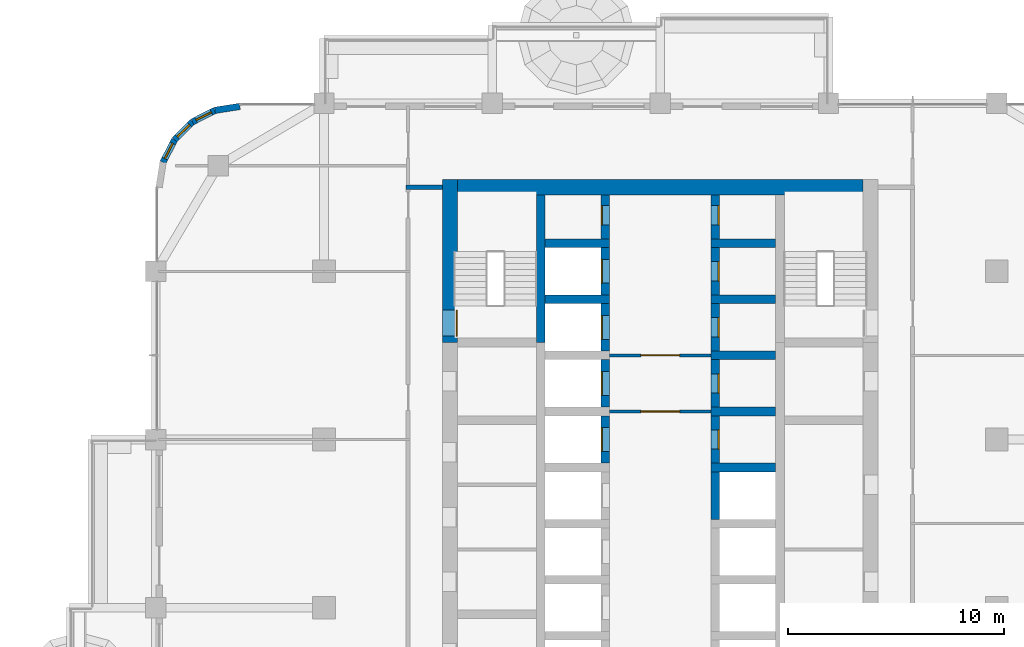
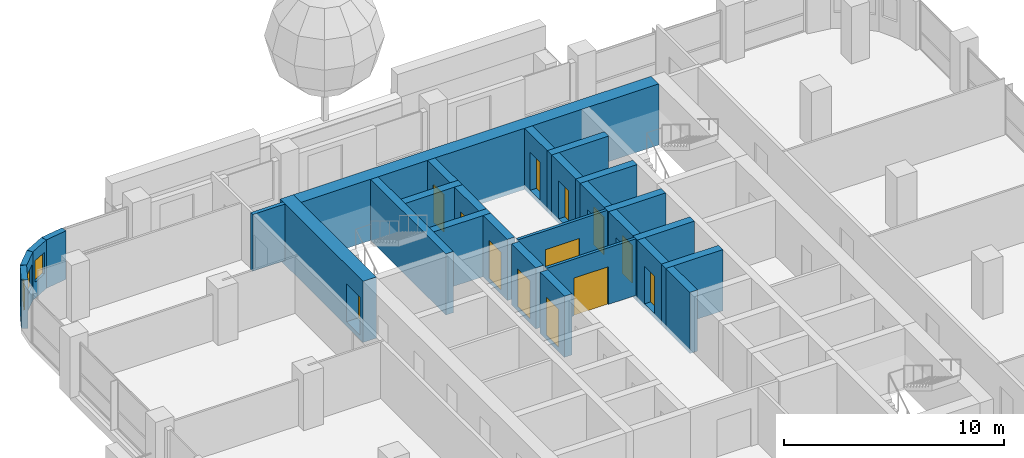
# One storey, part 13 of 21: 28 walls, 13 doors, 3 windows, 16 openings.
"""IFC4 building model written with IfcOpenShell, lengths in metres."""

from ifc_helpers import new_model, si_unit, direction, frame, frame_2d, origin, place, context, subcontext, project, spatial, rectangle, extrude, material, layer, layer_set, type_object, element, fill, save


model = new_model("IFC4")

# Units and contexts
model_context = context("Model", 3, precision=1e-05, world=origin(), true_north=direction((0.0, 1.0)))
body_context = subcontext(model_context, "Body", "Model", "MODEL_VIEW")
ifc_project = project(units=[si_unit("LENGTHUNIT", "METRE"), si_unit("AREAUNIT", "SQUARE_METRE"), si_unit("VOLUMEUNIT", "CUBIC_METRE"), si_unit("PLANEANGLEUNIT", "RADIAN"), si_unit("MASSUNIT", "GRAM", prefix="KILO")], contexts=[model_context])

# Site, building, storey
site_placement = place(None, origin())
site = spatial("IfcSite", under=ifc_project, at=site_placement, CompositionType="ELEMENT")
building_placement = place(site_placement, origin())
building = spatial("IfcBuilding", under=site, at=building_placement, Name="Ludao Terraces", CompositionType="ELEMENT")
storey_placement = place(building_placement, frame((0.0, 0.0, 71.60009765625)))
storey = spatial("IfcBuildingStorey", under=building, at=storey_placement, Name="L19", CompositionType="ELEMENT", Elevation=71.60009765625)

# Wall, opening, door
ifc_material_1 = material(Name="Concrete C70", Category="concrete")
ifc_layer_1 = layer(ifc_material_1, 0.699951171875)
ifc_layer_set_1 = layer_set([ifc_layer_1], Name="Core wall 700 C70")
wall_type_1 = type_object("IfcWallType", Name="Core wall 700 C70", PredefinedType="SOLIDWALL", material=ifc_layer_set_1)
wall_1_placement = place(storey_placement, frame((75.25, 77.300048828125, -0.25), z_axis=(0.0, 0.0, 1.0), x_axis=(0.0, 1.0, 0.0)))
wall_1 = element("IfcWall", 1, at=wall_1_placement, inside=storey, type_object=wall_type_1, Name="Core wall L19 outer-W-S1", PredefinedType="SOLIDWALL", context=body_context, shape_type="SweptSolid", body=[
    extrude(rectangle(XDim=7.550048828125, YDim=0.699951171875, at=frame_2d((3.77490234375, 0.0))), origin(), (0.0, 0.0, 1.0), 3.39990234375),
])
opening_1_placement = place(wall_1_placement, frame((0.300048828125, 0.0, 0.25)))
opening_1 = element("IfcOpeningElement", 2, at=opening_1_placement, cuts=wall_1, Name="Opening C1-035", PredefinedType="OPENING", context=body_context, shape_type="SweptSolid", body=[
    extrude(rectangle(XDim=1.199951171875, YDim=2.10009765625, at=frame_2d((0.60009765625, 1.050048828125))), frame((0.0, 0.35986328125, 0.0), z_axis=(0.0, -1.0, 0.0), x_axis=(1.0, 0.0, 0.0)), (0.0, 0.0, 1.0), 0.719970703125),
])
ifc_material_2 = material(Name="Steel Q235", Category="steel")
door_type_1 = type_object("IfcDoorType", Name="INT Stair door 1200", OperationType="DOUBLE_DOOR_SINGLE_SWING", PredefinedType="DOOR", material=ifc_material_2)
door_1_placement = place(opening_1_placement, origin())
door_1 = element("IfcDoor", 3, at=door_1_placement, inside=storey, type_object=door_type_1, Name="DOOR 035", OperationType="DOUBLE_DOOR_SINGLE_SWING", OverallHeight=2.10009765625, OverallWidth=1.199951171875, PredefinedType="DOOR", context=body_context, shape_type="SweptSolid", body=[
    extrude(rectangle(XDim=1.199951171875, YDim=2.10009765625, at=frame_2d((0.60009765625, 1.050048828125))), frame((0.0, -0.28515625, 0.0), z_axis=(0.0, -1.0, 0.0), x_axis=(1.0, 0.0, 0.0)), (0.0, 0.0, 1.0), 0.050048828125),
])
fill(opening_1, door_1)

# Walls
wall_2_placement = place(storey_placement, frame((75.60009765625, 84.5, -0.25), z_axis=(0.0, 0.0, 1.0), x_axis=(1.0, 0.0, 0.0)))
element("IfcWall", 4, at=wall_2_placement, inside=storey, type_object=wall_type_1, Name="Core wall L19 outer-N", PredefinedType="SOLIDWALL", context=body_context, shape_type="SweptSolid", body=[
    extrude(rectangle(XDim=18.7998046875, YDim=0.699951171875, at=frame_2d((9.39990234375, 0.0))), origin(), (0.0, 0.0, 1.0), 3.39990234375),
])
ifc_material_3 = material(Name="Granite cladding", Category="masonry")
ifc_layer_2 = layer(ifc_material_3, 0.0400390625, Category="stone")
ifc_material_4 = material(Name="Mineral wool")
ifc_layer_3 = layer(ifc_material_4, 0.06005859375)
ifc_material_5 = material(Name="Concrete C40", Category="concrete")
ifc_layer_4 = layer(ifc_material_5, 0.199951171875, Category="concrete")
ifc_layer_set_2 = layer_set([ifc_layer_2, ifc_layer_3, ifc_layer_4], Name="ENV Stone-clad wall 300")
wall_type_2 = type_object("IfcWallType", Name="ENV Stone-clad wall 300", PredefinedType="SOLIDWALL", material=ifc_layer_set_2)
wall_3_placement = place(storey_placement, frame((65.5, 88.25, 0.0), z_axis=(0.0, 0.0, 1.0), x_axis=(-0.987678452879, -0.156496880861, 0.0)))
element("IfcWall", 5, at=wall_3_placement, inside=storey, type_object=wall_type_2, Name="EW-L19-NW1", PredefinedType="SOLIDWALL", context=body_context, shape_type="SweptSolid", body=[
    extrude(rectangle(XDim=1.173095703125, YDim=0.300048828125, at=frame_2d((0.58642578125, 0.0))), origin(), (0.0, 0.0, 1.0), 2.699951171875),
])

# Wall, opening, window
wall_4_placement = place(storey_placement, frame((64.34130859375, 88.06640625, 0.0), z_axis=(0.0, 0.0, 1.0), x_axis=(-0.890988677504, -0.454025524128, 0.0)))
wall_4 = element("IfcWall", 6, at=wall_4_placement, inside=storey, type_object=wall_type_2, Name="EW-L19-NW2", PredefinedType="SOLIDWALL", context=body_context, shape_type="SweptSolid", body=[
    extrude(rectangle(XDim=1.17333984375, YDim=0.300048828125, at=frame_2d((0.586669921875, 0.0))), origin(), (0.0, 0.0, 1.0), 2.699951171875),
])
opening_2_placement = place(wall_4_placement, frame((0.1865234375, 0.0, 0.89990234375)))
opening_2 = element("IfcOpeningElement", 7, at=opening_2_placement, cuts=wall_4, Name="Opening W3", PredefinedType="OPENING", context=body_context, shape_type="SweptSolid", body=[
    extrude(rectangle(XDim=0.800048828125, YDim=1.199951171875, at=frame_2d((0.39990234375, 0.60009765625))), frame((0.0, 0.16015625, 0.0), z_axis=(0.0, -1.0, 0.0), x_axis=(1.0, 0.0, 0.0)), (0.0, 0.0, 1.0), 0.320068359375),
])
ifc_material_6 = material(Name="Clear glass in aluminium frame", Category="aluminium")
ifc_layer_5 = layer(ifc_material_6, 0.06005859375)
ifc_layer_set_3 = layer_set([ifc_layer_5], Name="ENV Window W3 800x1200")
window_type = type_object("IfcWindowType", Name="ENV Window W3 800x1200", PartitioningType="SINGLE_PANEL", PredefinedType="WINDOW", material=ifc_layer_set_3)
window_1_placement = place(opening_2_placement, origin())
window_1 = element("IfcWindow", 8, at=window_1_placement, inside=storey, type_object=window_type, Name="W-L19-NW2", OverallHeight=1.199951171875, OverallWidth=0.800048828125, PartitioningType="SINGLE_PANEL", PredefinedType="WINDOW", context=body_context, shape_type="SweptSolid", body=[
    extrude(rectangle(XDim=0.800048828125, YDim=1.199951171875, at=frame_2d((0.39990234375, 0.60009765625))), frame((0.0, 0.030029296875, 0.0), z_axis=(0.0, -1.0, 0.0), x_axis=(1.0, 0.0, 0.0)), (0.0, 0.0, 1.0), 0.06005859375),
])
fill(opening_2, window_1)

wall_5_placement = place(storey_placement, frame((63.2958984375, 87.53369140625, 0.0), z_axis=(0.0, 0.0, 1.0), x_axis=(-0.707106781187, -0.707106781187, 0.0)))
wall_5 = element("IfcWall", 9, at=wall_5_placement, inside=storey, type_object=wall_type_2, Name="EW-L19-NW3", PredefinedType="SOLIDWALL", context=body_context, shape_type="SweptSolid", body=[
    extrude(rectangle(XDim=1.173095703125, YDim=0.300048828125, at=frame_2d((0.58642578125, 0.0))), origin(), (0.0, 0.0, 1.0), 2.699951171875),
])
opening_3_placement = place(wall_5_placement, frame((0.1865234375, 0.0, 0.89990234375)))
opening_3 = element("IfcOpeningElement", 10, at=opening_3_placement, cuts=wall_5, Name="Opening W3", PredefinedType="OPENING", context=body_context, shape_type="SweptSolid", body=[
    extrude(rectangle(XDim=0.800048828125, YDim=1.199951171875, at=frame_2d((0.39990234375, 0.60009765625))), frame((0.0, 0.16015625, 0.0), z_axis=(0.0, -1.0, 0.0), x_axis=(1.0, 0.0, 0.0)), (0.0, 0.0, 1.0), 0.320068359375),
])
window_2_placement = place(opening_3_placement, origin())
window_2 = element("IfcWindow", 11, at=window_2_placement, inside=storey, type_object=window_type, Name="W-L19-NW3", OverallHeight=1.199951171875, OverallWidth=0.800048828125, PartitioningType="SINGLE_PANEL", PredefinedType="WINDOW", context=body_context, shape_type="SweptSolid", body=[
    extrude(rectangle(XDim=0.800048828125, YDim=1.199951171875, at=frame_2d((0.39990234375, 0.60009765625))), frame((0.0, 0.030029296875, 0.0), z_axis=(0.0, -1.0, 0.0), x_axis=(1.0, 0.0, 0.0)), (0.0, 0.0, 1.0), 0.06005859375),
])
fill(opening_3, window_2)

wall_6_placement = place(storey_placement, frame((62.46630859375, 86.7041015625, 0.0), z_axis=(0.0, 0.0, 1.0), x_axis=(-0.454025524128, -0.890988677504, 0.0)))
wall_6 = element("IfcWall", 12, at=wall_6_placement, inside=storey, type_object=wall_type_2, Name="EW-L19-NW4", PredefinedType="SOLIDWALL", context=body_context, shape_type="SweptSolid", body=[
    extrude(rectangle(XDim=1.17333984375, YDim=0.300048828125, at=frame_2d((0.586669921875, 0.0))), origin(), (0.0, 0.0, 1.0), 2.699951171875),
])
opening_4_placement = place(wall_6_placement, frame((0.1865234375, 0.0, 0.89990234375)))
opening_4 = element("IfcOpeningElement", 13, at=opening_4_placement, cuts=wall_6, Name="Opening W3", PredefinedType="OPENING", context=body_context, shape_type="SweptSolid", body=[
    extrude(rectangle(XDim=0.800048828125, YDim=1.199951171875, at=frame_2d((0.39990234375, 0.60009765625))), frame((0.0, 0.16015625, 0.0), z_axis=(0.0, -1.0, 0.0), x_axis=(1.0, 0.0, 0.0)), (0.0, 0.0, 1.0), 0.320068359375),
])
window_3_placement = place(opening_4_placement, origin())
window_3 = element("IfcWindow", 14, at=window_3_placement, inside=storey, type_object=window_type, Name="W-L19-NW4", OverallHeight=1.199951171875, OverallWidth=0.800048828125, PartitioningType="SINGLE_PANEL", PredefinedType="WINDOW", context=body_context, shape_type="SweptSolid", body=[
    extrude(rectangle(XDim=0.800048828125, YDim=1.199951171875, at=frame_2d((0.39990234375, 0.60009765625))), frame((0.0, 0.030029296875, 0.0), z_axis=(0.0, -1.0, 0.0), x_axis=(1.0, 0.0, 0.0)), (0.0, 0.0, 1.0), 0.06005859375),
])
fill(opening_4, window_3)

# Wall, opening, door
ifc_material_7 = material(Name="Fire-rated gypsum plasterboard", Category="gypsum")
ifc_layer_6 = layer(ifc_material_7, 0.012451171875, Category="gypsum")
ifc_layer_7 = layer(ifc_material_4, 0.10009765625, Name="insulation")
ifc_layer_8 = layer(ifc_material_2, 0.02490234375, Name="stud")
ifc_layer_9 = layer(ifc_material_7, 0.012451171875, Category="gypsum")
ifc_layer_set_4 = layer_set([ifc_layer_6, ifc_layer_7, ifc_layer_8, ifc_layer_9], Name="INT Core partition 150")
wall_type_3 = type_object("IfcWallType", Name="INT Core partition 150", PredefinedType="PARTITIONING", material=ifc_layer_set_4)
wall_7_placement = place(storey_placement, frame((82.650146484375, 74.10009765625, 0.0), z_axis=(0.0, 0.0, 1.0), x_axis=(1.0, 0.0, 0.0)))
wall_7 = element("IfcWall", 15, at=wall_7_placement, inside=storey, type_object=wall_type_3, Name="PW-L19-PW009", PredefinedType="PARTITIONING", context=body_context, shape_type="SweptSolid", body=[
    extrude(rectangle(XDim=4.699951171875, YDim=0.14990234375, at=frame_2d((2.35009765625, 0.0))), origin(), (0.0, 0.0, 1.0), 3.14990234375),
])
opening_5_placement = place(wall_7_placement, frame((1.449951171875, 0.0, 0.0)))
opening_5 = element("IfcOpeningElement", 16, at=opening_5_placement, cuts=wall_7, Name="Opening C1-026", PredefinedType="OPENING", context=body_context, shape_type="SweptSolid", body=[
    extrude(rectangle(XDim=1.800048828125, YDim=2.10009765625, at=frame_2d((0.89990234375, 1.050048828125))), frame((0.0, 0.0849609375, 0.0), z_axis=(0.0, -1.0, 0.0), x_axis=(1.0, 0.0, 0.0)), (0.0, 0.0, 1.0), 0.169921875),
])
door_type_2 = type_object("IfcDoorType", Name="INT Fire lobby door 1800", OperationType="DOUBLE_DOOR_SINGLE_SWING", PredefinedType="DOOR", material=ifc_material_2)
door_2_placement = place(opening_5_placement, origin())
door_2 = element("IfcDoor", 17, at=door_2_placement, inside=storey, type_object=door_type_2, Name="DOOR 026", OperationType="DOUBLE_DOOR_SINGLE_SWING", OverallHeight=2.10009765625, OverallWidth=1.800048828125, PredefinedType="DOOR", context=body_context, shape_type="SweptSolid", body=[
    extrude(rectangle(XDim=1.800048828125, YDim=2.10009765625, at=frame_2d((0.89990234375, 1.050048828125))), frame((0.0, 0.02490234375, 0.0), z_axis=(0.0, -1.0, 0.0), x_axis=(1.0, 0.0, 0.0)), (0.0, 0.0, 1.0), 0.050048828125),
])
fill(opening_5, door_2)

wall_8_placement = place(storey_placement, frame((82.650146484375, 76.699951171875, 0.0), z_axis=(0.0, 0.0, 1.0), x_axis=(1.0, 0.0, 0.0)))
wall_8 = element("IfcWall", 18, at=wall_8_placement, inside=storey, type_object=wall_type_3, Name="PW-L19-PW010", PredefinedType="PARTITIONING", context=body_context, shape_type="SweptSolid", body=[
    extrude(rectangle(XDim=4.699951171875, YDim=0.14990234375, at=frame_2d((2.35009765625, 0.0))), origin(), (0.0, 0.0, 1.0), 3.14990234375),
])
opening_6_placement = place(wall_8_placement, frame((1.449951171875, 0.0, 0.0)))
opening_6 = element("IfcOpeningElement", 19, at=opening_6_placement, cuts=wall_8, Name="Opening C1-032", PredefinedType="OPENING", context=body_context, shape_type="SweptSolid", body=[
    extrude(rectangle(XDim=1.800048828125, YDim=2.10009765625, at=frame_2d((0.89990234375, 1.050048828125))), frame((0.0, 0.0849609375, 0.0), z_axis=(0.0, -1.0, 0.0), x_axis=(1.0, 0.0, 0.0)), (0.0, 0.0, 1.0), 0.169921875),
])
door_3_placement = place(opening_6_placement, origin())
door_3 = element("IfcDoor", 20, at=door_3_placement, inside=storey, type_object=door_type_2, Name="DOOR 032", OperationType="DOUBLE_DOOR_SINGLE_SWING", OverallHeight=2.10009765625, OverallWidth=1.800048828125, PredefinedType="DOOR", context=body_context, shape_type="SweptSolid", body=[
    extrude(rectangle(XDim=1.800048828125, YDim=2.10009765625, at=frame_2d((0.89990234375, 1.050048828125))), frame((0.0, 0.02490234375, 0.0), z_axis=(0.0, -1.0, 0.0), x_axis=(1.0, 0.0, 0.0)), (0.0, 0.0, 1.0), 0.050048828125),
])
fill(opening_6, door_3)

# Walls
ifc_material_8 = material(Name="Autoclaved aerated concrete block B06 A3.5", Category="concrete")
ifc_layer_10 = layer(ifc_material_8, 0.199951171875)
ifc_layer_set_5 = layer_set([ifc_layer_10], Name="INT Entrance wall 200")
wall_type_4 = type_object("IfcWallType", Name="INT Entrance wall 200", PredefinedType="PARTITIONING", material=ifc_layer_set_5)
wall_9_placement = place(storey_placement, frame((73.2001953125, 84.5, 0.0), z_axis=(0.0, 0.0, 1.0), x_axis=(1.0, 0.0, 0.0)))
element("IfcWall", 21, at=wall_9_placement, inside=storey, type_object=wall_type_4, Name="PW-L19-PW013", PredefinedType="PARTITIONING", context=body_context, shape_type="SweptSolid", body=[
    extrude(rectangle(XDim=1.699951171875, YDim=0.199951171875, at=frame_2d((0.85009765625, 0.0))), origin(), (0.0, 0.0, 1.0), 3.14990234375),
])
ifc_material_9 = material(Name="Concrete C60", Category="concrete")
ifc_layer_11 = layer(ifc_material_9, 0.39990234375)
ifc_layer_set_6 = layer_set([ifc_layer_11], Name="Shaft wall 400 C60")
wall_type_5 = type_object("IfcWallType", Name="Shaft wall 400 C60", PredefinedType="SOLIDWALL", material=ifc_layer_set_6)
wall_10_placement = place(storey_placement, frame((79.449951171875, 77.300048828125, -0.25), z_axis=(0.0, 0.0, 1.0), x_axis=(0.0, 1.0, 0.0)))
element("IfcWall", 22, at=wall_10_placement, inside=storey, type_object=wall_type_5, Name="Core wall L19 back-W-S1", PredefinedType="SOLIDWALL", context=body_context, shape_type="SweptSolid", body=[
    extrude(rectangle(XDim=6.849853515625, YDim=0.39990234375, at=frame_2d((3.4248046875, 0.0))), origin(), (0.0, 0.0, 1.0), 3.39990234375),
])

# Wall, opening, door
wall_11_placement = place(storey_placement, frame((82.449951171875, 71.699951171875, -0.25), z_axis=(0.0, 0.0, 1.0), x_axis=(0.0, 1.0, 0.0)))
wall_11 = element("IfcWall", 23, at=wall_11_placement, inside=storey, type_object=wall_type_5, Name="Core wall L19 front-W5", PredefinedType="SOLIDWALL", context=body_context, shape_type="SweptSolid", body=[
    extrude(rectangle(XDim=2.199951171875, YDim=0.39990234375, at=frame_2d((1.10009765625, 0.0))), origin(), (0.0, 0.0, 1.0), 3.39990234375),
])
opening_7_placement = place(wall_11_placement, frame((0.550048828125, 0.0, 0.25)))
opening_7 = element("IfcOpeningElement", 24, at=opening_7_placement, cuts=wall_11, Name="Opening LD-LA5", PredefinedType="OPENING", context=body_context, shape_type="SweptSolid", body=[
    extrude(rectangle(XDim=1.10009765625, YDim=2.10009765625, at=frame_2d((0.550048828125, 1.050048828125))), frame((0.0, 0.2099609375, 0.0), z_axis=(0.0, -1.0, 0.0), x_axis=(1.0, 0.0, 0.0)), (0.0, 0.0, 1.0), 0.419921875),
])
ifc_material_10 = material(Name="Stainless steel 304", Category="steel")
door_type_3 = type_object("IfcDoorType", Name="INT Lift landing door 1100", OperationType="SLIDING_TO_LEFT", PredefinedType="DOOR", material=ifc_material_10)
door_4_placement = place(opening_7_placement, origin())
door_4 = element("IfcDoor", 25, at=door_4_placement, inside=storey, type_object=door_type_3, Name="LANDING DOOR LA5 L19", OperationType="SLIDING_TO_LEFT", OverallHeight=2.10009765625, OverallWidth=1.10009765625, PredefinedType="DOOR", context=body_context, shape_type="SweptSolid", body=[
    extrude(rectangle(XDim=1.10009765625, YDim=2.10009765625, at=frame_2d((0.550048828125, 1.050048828125))), frame((0.0, 0.18505859375, 0.0), z_axis=(0.0, -1.0, 0.0), x_axis=(1.0, 0.0, 0.0)), (0.0, 0.0, 1.0), 0.050048828125),
])
fill(opening_7, door_4)

wall_12_placement = place(storey_placement, frame((82.449951171875, 74.300048828125, -0.25), z_axis=(0.0, 0.0, 1.0), x_axis=(0.0, 1.0, 0.0)))
wall_12 = element("IfcWall", 26, at=wall_12_placement, inside=storey, type_object=wall_type_5, Name="Core wall L19 front-W6", PredefinedType="SOLIDWALL", context=body_context, shape_type="SweptSolid", body=[
    extrude(rectangle(XDim=2.199951171875, YDim=0.39990234375, at=frame_2d((1.10009765625, 0.0))), origin(), (0.0, 0.0, 1.0), 3.39990234375),
])
opening_8_placement = place(wall_12_placement, frame((0.550048828125, 0.0, 0.25)))
opening_8 = element("IfcOpeningElement", 27, at=opening_8_placement, cuts=wall_12, Name="Opening LD-LA6", PredefinedType="OPENING", context=body_context, shape_type="SweptSolid", body=[
    extrude(rectangle(XDim=1.10009765625, YDim=2.10009765625, at=frame_2d((0.550048828125, 1.050048828125))), frame((0.0, 0.2099609375, 0.0), z_axis=(0.0, -1.0, 0.0), x_axis=(1.0, 0.0, 0.0)), (0.0, 0.0, 1.0), 0.419921875),
])
door_5_placement = place(opening_8_placement, origin())
door_5 = element("IfcDoor", 28, at=door_5_placement, inside=storey, type_object=door_type_3, Name="LANDING DOOR LA6 L19", OperationType="SLIDING_TO_LEFT", OverallHeight=2.10009765625, OverallWidth=1.10009765625, PredefinedType="DOOR", context=body_context, shape_type="SweptSolid", body=[
    extrude(rectangle(XDim=1.10009765625, YDim=2.10009765625, at=frame_2d((0.550048828125, 1.050048828125))), frame((0.0, 0.18505859375, 0.0), z_axis=(0.0, -1.0, 0.0), x_axis=(1.0, 0.0, 0.0)), (0.0, 0.0, 1.0), 0.050048828125),
])
fill(opening_8, door_5)

wall_13_placement = place(storey_placement, frame((82.449951171875, 76.89990234375, -0.25), z_axis=(0.0, 0.0, 1.0), x_axis=(0.0, 1.0, 0.0)))
wall_13 = element("IfcWall", 29, at=wall_13_placement, inside=storey, type_object=wall_type_5, Name="Core wall L19 front-W7", PredefinedType="SOLIDWALL", context=body_context, shape_type="SweptSolid", body=[
    extrude(rectangle(XDim=2.2001953125, YDim=0.39990234375, at=frame_2d((1.10009765625, 0.0))), origin(), (0.0, 0.0, 1.0), 3.39990234375),
])
opening_9_placement = place(wall_13_placement, frame((0.550048828125, 0.0, 0.25)))
opening_9 = element("IfcOpeningElement", 30, at=opening_9_placement, cuts=wall_13, Name="Opening LD-FF1", PredefinedType="OPENING", context=body_context, shape_type="SweptSolid", body=[
    extrude(rectangle(XDim=1.10009765625, YDim=2.10009765625, at=frame_2d((0.550048828125, 1.050048828125))), frame((0.0, 0.2099609375, 0.0), z_axis=(0.0, -1.0, 0.0), x_axis=(1.0, 0.0, 0.0)), (0.0, 0.0, 1.0), 0.419921875),
])
door_6_placement = place(opening_9_placement, origin())
door_6 = element("IfcDoor", 31, at=door_6_placement, inside=storey, type_object=door_type_3, Name="LANDING DOOR FF1 L19", OperationType="SLIDING_TO_LEFT", OverallHeight=2.10009765625, OverallWidth=1.10009765625, PredefinedType="DOOR", context=body_context, shape_type="SweptSolid", body=[
    extrude(rectangle(XDim=1.10009765625, YDim=2.10009765625, at=frame_2d((0.550048828125, 1.050048828125))), frame((0.0, 0.18505859375, 0.0), z_axis=(0.0, -1.0, 0.0), x_axis=(1.0, 0.0, 0.0)), (0.0, 0.0, 1.0), 0.050048828125),
])
fill(opening_9, door_6)

# Wall
wall_14_placement = place(storey_placement, frame((79.64990234375, 79.300048828125, -0.25), z_axis=(0.0, 0.0, 1.0), x_axis=(1.0, 0.0, 0.0)))
element("IfcWall", 32, at=wall_14_placement, inside=storey, type_object=wall_type_5, Name="Core wall L19 div-W8", PredefinedType="SOLIDWALL", context=body_context, shape_type="SweptSolid", body=[
    extrude(rectangle(XDim=3.0, YDim=0.39990234375, at=frame_2d((1.5, 0.0))), origin(), (0.0, 0.0, 1.0), 3.39990234375),
])

# Wall, opening, door
wall_15_placement = place(storey_placement, frame((82.449951171875, 79.5, -0.25), z_axis=(0.0, 0.0, 1.0), x_axis=(0.0, 1.0, 0.0)))
wall_15 = element("IfcWall", 33, at=wall_15_placement, inside=storey, type_object=wall_type_5, Name="Core wall L19 front-W8", PredefinedType="SOLIDWALL", context=body_context, shape_type="SweptSolid", body=[
    extrude(rectangle(XDim=2.199951171875, YDim=0.39990234375, at=frame_2d((1.10009765625, 0.0))), origin(), (0.0, 0.0, 1.0), 3.39990234375),
])
opening_10_placement = place(wall_15_placement, frame((0.550048828125, 0.0, 0.25)))
opening_10 = element("IfcOpeningElement", 34, at=opening_10_placement, cuts=wall_15, Name="Opening LD-FF2", PredefinedType="OPENING", context=body_context, shape_type="SweptSolid", body=[
    extrude(rectangle(XDim=1.10009765625, YDim=2.10009765625, at=frame_2d((0.550048828125, 1.050048828125))), frame((0.0, 0.2099609375, 0.0), z_axis=(0.0, -1.0, 0.0), x_axis=(1.0, 0.0, 0.0)), (0.0, 0.0, 1.0), 0.419921875),
])
door_7_placement = place(opening_10_placement, origin())
door_7 = element("IfcDoor", 35, at=door_7_placement, inside=storey, type_object=door_type_3, Name="LANDING DOOR FF2 L19", OperationType="SLIDING_TO_LEFT", OverallHeight=2.10009765625, OverallWidth=1.10009765625, PredefinedType="DOOR", context=body_context, shape_type="SweptSolid", body=[
    extrude(rectangle(XDim=1.10009765625, YDim=2.10009765625, at=frame_2d((0.550048828125, 1.050048828125))), frame((0.0, 0.18505859375, 0.0), z_axis=(0.0, -1.0, 0.0), x_axis=(1.0, 0.0, 0.0)), (0.0, 0.0, 1.0), 0.050048828125),
])
fill(opening_10, door_7)

# Wall
wall_16_placement = place(storey_placement, frame((79.64990234375, 81.89990234375, -0.25), z_axis=(0.0, 0.0, 1.0), x_axis=(1.0, 0.0, 0.0)))
element("IfcWall", 36, at=wall_16_placement, inside=storey, type_object=wall_type_5, Name="Core wall L19 div-W9", PredefinedType="SOLIDWALL", context=body_context, shape_type="SweptSolid", body=[
    extrude(rectangle(XDim=3.0, YDim=0.39990234375, at=frame_2d((1.5, 0.0))), origin(), (0.0, 0.0, 1.0), 3.39990234375),
])

# Wall, opening, door
wall_17_placement = place(storey_placement, frame((82.449951171875, 82.10009765625, -0.25), z_axis=(0.0, 0.0, 1.0), x_axis=(0.0, 1.0, 0.0)))
wall_17 = element("IfcWall", 37, at=wall_17_placement, inside=storey, type_object=wall_type_5, Name="Core wall L19 front-W9", PredefinedType="SOLIDWALL", context=body_context, shape_type="SweptSolid", body=[
    extrude(rectangle(XDim=2.0498046875, YDim=0.39990234375, at=frame_2d((1.02490234375, 0.0))), origin(), (0.0, 0.0, 1.0), 3.39990234375),
])
opening_11_placement = place(wall_17_placement, frame((0.64990234375, 0.0, 0.25)))
opening_11 = element("IfcOpeningElement", 38, at=opening_11_placement, cuts=wall_17, Name="Opening C1-040", PredefinedType="OPENING", context=body_context, shape_type="SweptSolid", body=[
    extrude(rectangle(XDim=0.89990234375, YDim=2.10009765625, at=frame_2d((0.449951171875, 1.050048828125))), frame((0.0, 0.2099609375, 0.0), z_axis=(0.0, -1.0, 0.0), x_axis=(1.0, 0.0, 0.0)), (0.0, 0.0, 1.0), 0.419921875),
])
ifc_material_11 = material(Name="Timber door leaf", Category="wood")
door_type_4 = type_object("IfcDoorType", Name="INT Room door 900", OperationType="SINGLE_SWING_LEFT", PredefinedType="DOOR", material=ifc_material_11)
door_8_placement = place(opening_11_placement, origin())
door_8 = element("IfcDoor", 39, at=door_8_placement, inside=storey, type_object=door_type_4, Name="DOOR 040", OperationType="SINGLE_SWING_RIGHT", OverallHeight=2.10009765625, OverallWidth=0.89990234375, PredefinedType="DOOR", context=body_context, shape_type="SweptSolid", body=[
    extrude(rectangle(XDim=0.89990234375, YDim=2.10009765625, at=frame_2d((0.449951171875, 1.050048828125))), frame((0.0, 0.18505859375, 0.0), z_axis=(0.0, -1.0, 0.0), x_axis=(1.0, 0.0, 0.0)), (0.0, 0.0, 1.0), 0.050048828125),
])
fill(opening_11, door_8)

# Walls
wall_18_placement = place(storey_placement, frame((87.550048828125, 69.10009765625, -0.25), z_axis=(0.0, 0.0, 1.0), x_axis=(0.0, 1.0, 0.0)))
element("IfcWall", 40, at=wall_18_placement, inside=storey, type_object=wall_type_5, Name="Core wall L19 front-E4", PredefinedType="SOLIDWALL", context=body_context, shape_type="SweptSolid", body=[
    extrude(rectangle(XDim=2.199951171875, YDim=0.39990234375, at=frame_2d((1.10009765625, 0.0))), origin(), (0.0, 0.0, 1.0), 3.39990234375),
])
wall_19_placement = place(storey_placement, frame((87.35009765625, 71.5, -0.25), z_axis=(0.0, 0.0, 1.0), x_axis=(1.0, 0.0, 0.0)))
element("IfcWall", 41, at=wall_19_placement, inside=storey, type_object=wall_type_5, Name="Core wall L19 div-E5", PredefinedType="SOLIDWALL", context=body_context, shape_type="SweptSolid", body=[
    extrude(rectangle(XDim=3.0, YDim=0.39990234375, at=frame_2d((1.5, 0.0))), origin(), (0.0, 0.0, 1.0), 3.39990234375),
])

# Wall, opening, door
wall_20_placement = place(storey_placement, frame((87.550048828125, 71.699951171875, -0.25), z_axis=(0.0, 0.0, 1.0), x_axis=(0.0, 1.0, 0.0)))
wall_20 = element("IfcWall", 42, at=wall_20_placement, inside=storey, type_object=wall_type_5, Name="Core wall L19 front-E5", PredefinedType="SOLIDWALL", context=body_context, shape_type="SweptSolid", body=[
    extrude(rectangle(XDim=2.199951171875, YDim=0.39990234375, at=frame_2d((1.10009765625, 0.0))), origin(), (0.0, 0.0, 1.0), 3.39990234375),
])
opening_12_placement = place(wall_20_placement, frame((0.64990234375, 0.0, 0.25)))
opening_12 = element("IfcOpeningElement", 43, at=opening_12_placement, cuts=wall_20, Name="Opening C1-025", PredefinedType="OPENING", context=body_context, shape_type="SweptSolid", body=[
    extrude(rectangle(XDim=0.89990234375, YDim=2.10009765625, at=frame_2d((0.449951171875, 1.050048828125))), frame((0.0, 0.2099609375, 0.0), z_axis=(0.0, -1.0, 0.0), x_axis=(1.0, 0.0, 0.0)), (0.0, 0.0, 1.0), 0.419921875),
])
door_9_placement = place(opening_12_placement, origin())
door_9 = element("IfcDoor", 44, at=door_9_placement, inside=storey, type_object=door_type_4, Name="DOOR 025", OperationType="SINGLE_SWING_RIGHT", OverallHeight=2.10009765625, OverallWidth=0.89990234375, PredefinedType="DOOR", context=body_context, shape_type="SweptSolid", body=[
    extrude(rectangle(XDim=0.89990234375, YDim=2.10009765625, at=frame_2d((0.449951171875, 1.050048828125))), frame((0.0, -0.134765625, 0.0), z_axis=(0.0, -1.0, 0.0), x_axis=(1.0, 0.0, 0.0)), (0.0, 0.0, 1.0), 0.050048828125),
])
fill(opening_12, door_9)

# Wall
wall_21_placement = place(storey_placement, frame((87.35009765625, 74.10009765625, -0.25), z_axis=(0.0, 0.0, 1.0), x_axis=(1.0, 0.0, 0.0)))
element("IfcWall", 45, at=wall_21_placement, inside=storey, type_object=wall_type_5, Name="Core wall L19 div-E6", PredefinedType="SOLIDWALL", context=body_context, shape_type="SweptSolid", body=[
    extrude(rectangle(XDim=3.0, YDim=0.39990234375, at=frame_2d((1.5, 0.0))), origin(), (0.0, 0.0, 1.0), 3.39990234375),
])

# Wall, opening, door
wall_22_placement = place(storey_placement, frame((87.550048828125, 74.300048828125, -0.25), z_axis=(0.0, 0.0, 1.0), x_axis=(0.0, 1.0, 0.0)))
wall_22 = element("IfcWall", 46, at=wall_22_placement, inside=storey, type_object=wall_type_5, Name="Core wall L19 front-E6", PredefinedType="SOLIDWALL", context=body_context, shape_type="SweptSolid", body=[
    extrude(rectangle(XDim=2.199951171875, YDim=0.39990234375, at=frame_2d((1.10009765625, 0.0))), origin(), (0.0, 0.0, 1.0), 3.39990234375),
])
opening_13_placement = place(wall_22_placement, frame((0.64990234375, 0.0, 0.25)))
opening_13 = element("IfcOpeningElement", 47, at=opening_13_placement, cuts=wall_22, Name="Opening C1-029", PredefinedType="OPENING", context=body_context, shape_type="SweptSolid", body=[
    extrude(rectangle(XDim=0.89990234375, YDim=2.10009765625, at=frame_2d((0.449951171875, 1.050048828125))), frame((0.0, 0.2099609375, 0.0), z_axis=(0.0, -1.0, 0.0), x_axis=(1.0, 0.0, 0.0)), (0.0, 0.0, 1.0), 0.419921875),
])
door_10_placement = place(opening_13_placement, origin())
door_10 = element("IfcDoor", 48, at=door_10_placement, inside=storey, type_object=door_type_4, Name="DOOR 029", OperationType="SINGLE_SWING_RIGHT", OverallHeight=2.10009765625, OverallWidth=0.89990234375, PredefinedType="DOOR", context=body_context, shape_type="SweptSolid", body=[
    extrude(rectangle(XDim=0.89990234375, YDim=2.10009765625, at=frame_2d((0.449951171875, 1.050048828125))), frame((0.0, -0.134765625, 0.0), z_axis=(0.0, -1.0, 0.0), x_axis=(1.0, 0.0, 0.0)), (0.0, 0.0, 1.0), 0.050048828125),
])
fill(opening_13, door_10)

# Wall
wall_23_placement = place(storey_placement, frame((87.35009765625, 76.699951171875, -0.25), z_axis=(0.0, 0.0, 1.0), x_axis=(1.0, 0.0, 0.0)))
element("IfcWall", 49, at=wall_23_placement, inside=storey, type_object=wall_type_5, Name="Core wall L19 div-E7", PredefinedType="SOLIDWALL", context=body_context, shape_type="SweptSolid", body=[
    extrude(rectangle(XDim=3.0, YDim=0.39990234375, at=frame_2d((1.5, 0.0))), origin(), (0.0, 0.0, 1.0), 3.39990234375),
])

# Wall, opening, door
wall_24_placement = place(storey_placement, frame((87.550048828125, 76.89990234375, -0.25), z_axis=(0.0, 0.0, 1.0), x_axis=(0.0, 1.0, 0.0)))
wall_24 = element("IfcWall", 50, at=wall_24_placement, inside=storey, type_object=wall_type_5, Name="Core wall L19 front-E7", PredefinedType="SOLIDWALL", context=body_context, shape_type="SweptSolid", body=[
    extrude(rectangle(XDim=2.2001953125, YDim=0.39990234375, at=frame_2d((1.10009765625, 0.0))), origin(), (0.0, 0.0, 1.0), 3.39990234375),
])
opening_14_placement = place(wall_24_placement, frame((0.64990234375, 0.0, 0.25)))
opening_14 = element("IfcOpeningElement", 51, at=opening_14_placement, cuts=wall_24, Name="Opening C1-034", PredefinedType="OPENING", context=body_context, shape_type="SweptSolid", body=[
    extrude(rectangle(XDim=0.89990234375, YDim=2.10009765625, at=frame_2d((0.449951171875, 1.050048828125))), frame((0.0, 0.2099609375, 0.0), z_axis=(0.0, -1.0, 0.0), x_axis=(1.0, 0.0, 0.0)), (0.0, 0.0, 1.0), 0.419921875),
])
door_11_placement = place(opening_14_placement, origin())
door_11 = element("IfcDoor", 52, at=door_11_placement, inside=storey, type_object=door_type_4, Name="DOOR 034", OperationType="SINGLE_SWING_RIGHT", OverallHeight=2.10009765625, OverallWidth=0.89990234375, PredefinedType="DOOR", context=body_context, shape_type="SweptSolid", body=[
    extrude(rectangle(XDim=0.89990234375, YDim=2.10009765625, at=frame_2d((0.449951171875, 1.050048828125))), frame((0.0, -0.134765625, 0.0), z_axis=(0.0, -1.0, 0.0), x_axis=(1.0, 0.0, 0.0)), (0.0, 0.0, 1.0), 0.050048828125),
])
fill(opening_14, door_11)

# Wall
wall_25_placement = place(storey_placement, frame((87.35009765625, 79.300048828125, -0.25), z_axis=(0.0, 0.0, 1.0), x_axis=(1.0, 0.0, 0.0)))
element("IfcWall", 53, at=wall_25_placement, inside=storey, type_object=wall_type_5, Name="Core wall L19 div-E8", PredefinedType="SOLIDWALL", context=body_context, shape_type="SweptSolid", body=[
    extrude(rectangle(XDim=3.0, YDim=0.39990234375, at=frame_2d((1.5, 0.0))), origin(), (0.0, 0.0, 1.0), 3.39990234375),
])

# Wall, opening, door
wall_26_placement = place(storey_placement, frame((87.550048828125, 79.5, -0.25), z_axis=(0.0, 0.0, 1.0), x_axis=(0.0, 1.0, 0.0)))
wall_26 = element("IfcWall", 54, at=wall_26_placement, inside=storey, type_object=wall_type_5, Name="Core wall L19 front-E8", PredefinedType="SOLIDWALL", context=body_context, shape_type="SweptSolid", body=[
    extrude(rectangle(XDim=2.199951171875, YDim=0.39990234375, at=frame_2d((1.10009765625, 0.0))), origin(), (0.0, 0.0, 1.0), 3.39990234375),
])
opening_15_placement = place(wall_26_placement, frame((0.64990234375, 0.0, 0.25)))
opening_15 = element("IfcOpeningElement", 55, at=opening_15_placement, cuts=wall_26, Name="Opening C1-039", PredefinedType="OPENING", context=body_context, shape_type="SweptSolid", body=[
    extrude(rectangle(XDim=0.89990234375, YDim=2.10009765625, at=frame_2d((0.449951171875, 1.050048828125))), frame((0.0, 0.2099609375, 0.0), z_axis=(0.0, -1.0, 0.0), x_axis=(1.0, 0.0, 0.0)), (0.0, 0.0, 1.0), 0.419921875),
])
door_12_placement = place(opening_15_placement, origin())
door_12 = element("IfcDoor", 56, at=door_12_placement, inside=storey, type_object=door_type_4, Name="DOOR 039", OperationType="SINGLE_SWING_LEFT", OverallHeight=2.10009765625, OverallWidth=0.89990234375, PredefinedType="DOOR", context=body_context, shape_type="SweptSolid", body=[
    extrude(rectangle(XDim=0.89990234375, YDim=2.10009765625, at=frame_2d((0.449951171875, 1.050048828125))), frame((0.0, -0.134765625, 0.0), z_axis=(0.0, -1.0, 0.0), x_axis=(1.0, 0.0, 0.0)), (0.0, 0.0, 1.0), 0.050048828125),
])
fill(opening_15, door_12)

# Wall
wall_27_placement = place(storey_placement, frame((87.35009765625, 81.89990234375, -0.25), z_axis=(0.0, 0.0, 1.0), x_axis=(1.0, 0.0, 0.0)))
element("IfcWall", 57, at=wall_27_placement, inside=storey, type_object=wall_type_5, Name="Core wall L19 div-E9", PredefinedType="SOLIDWALL", context=body_context, shape_type="SweptSolid", body=[
    extrude(rectangle(XDim=3.0, YDim=0.39990234375, at=frame_2d((1.5, 0.0))), origin(), (0.0, 0.0, 1.0), 3.39990234375),
])

# Wall, opening, door
wall_28_placement = place(storey_placement, frame((87.550048828125, 82.10009765625, -0.25), z_axis=(0.0, 0.0, 1.0), x_axis=(0.0, 1.0, 0.0)))
wall_28 = element("IfcWall", 58, at=wall_28_placement, inside=storey, type_object=wall_type_5, Name="Core wall L19 front-E9", PredefinedType="SOLIDWALL", context=body_context, shape_type="SweptSolid", body=[
    extrude(rectangle(XDim=2.0498046875, YDim=0.39990234375, at=frame_2d((1.02490234375, 0.0))), origin(), (0.0, 0.0, 1.0), 3.39990234375),
])
opening_16_placement = place(wall_28_placement, frame((0.64990234375, 0.0, 0.25)))
opening_16 = element("IfcOpeningElement", 59, at=opening_16_placement, cuts=wall_28, Name="Opening C1-041", PredefinedType="OPENING", context=body_context, shape_type="SweptSolid", body=[
    extrude(rectangle(XDim=0.89990234375, YDim=2.10009765625, at=frame_2d((0.449951171875, 1.050048828125))), frame((0.0, 0.2099609375, 0.0), z_axis=(0.0, -1.0, 0.0), x_axis=(1.0, 0.0, 0.0)), (0.0, 0.0, 1.0), 0.419921875),
])
door_13_placement = place(opening_16_placement, origin())
door_13 = element("IfcDoor", 60, at=door_13_placement, inside=storey, type_object=door_type_4, Name="DOOR 041", OperationType="SINGLE_SWING_LEFT", OverallHeight=2.10009765625, OverallWidth=0.89990234375, PredefinedType="DOOR", context=body_context, shape_type="SweptSolid", body=[
    extrude(rectangle(XDim=0.89990234375, YDim=2.10009765625, at=frame_2d((0.449951171875, 1.050048828125))), frame((0.0, -0.134765625, 0.0), z_axis=(0.0, -1.0, 0.0), x_axis=(1.0, 0.0, 0.0)), (0.0, 0.0, 1.0), 0.050048828125),
])
fill(opening_16, door_13)

save(model, "model.ifc")
